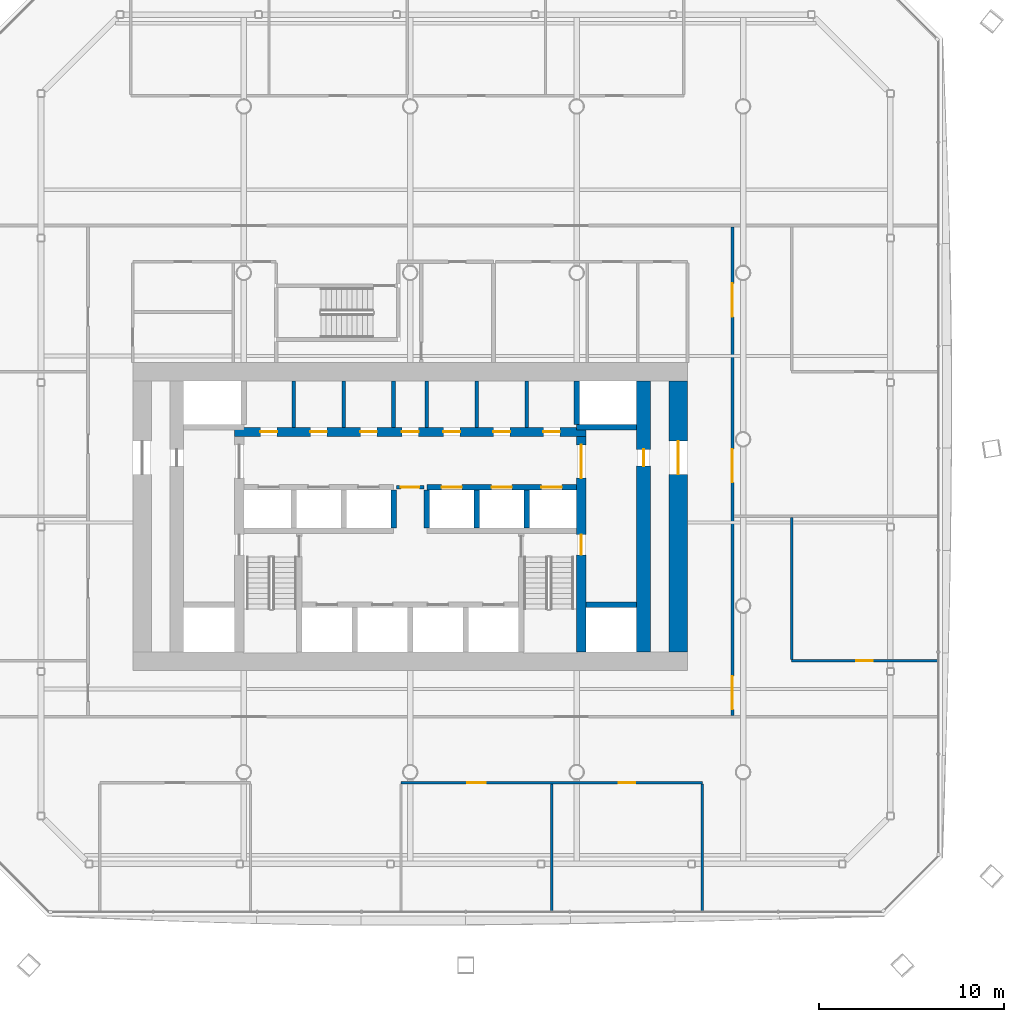
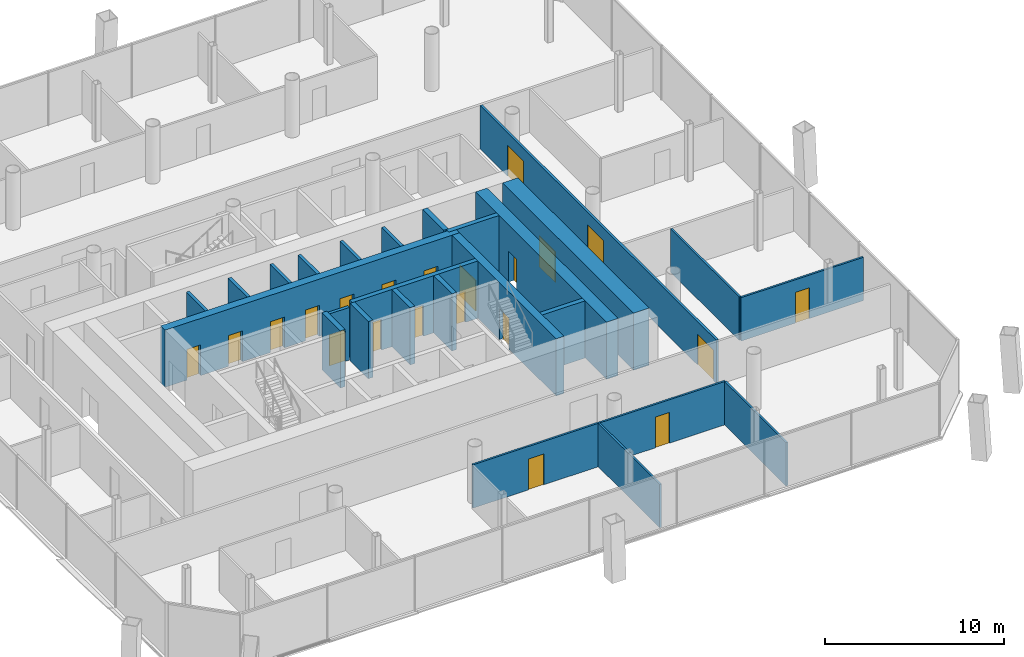
# One storey, part 13 of 20: 25 walls, 21 doors, 21 openings.
"""IFC4 building model written with IfcOpenShell, lengths in metres."""

import ifcopenshell
import ifcopenshell.guid

model = None  # the IFC model being written
_history = None  # IfcOwnerHistory: only IFC2X3 demands one
_inside = {}  # id of a spatial element -> (the spatial element, [elements in it])
_under = {}  # id of a project, library or spatial element -> (it, [spatial elements below it])
_declared = {}  # id of a project -> (the project, [libraries it declares])
_typed = {}  # id of a type object -> (the type object, [elements of that type])
_made_of = {}  # id of a material, layer set ... -> (it, [elements and type objects made of it])


def new_model(schema):
    """Start an empty IFC model of exactly this schema.

    Asked for "IFC4X3", IfcOpenShell would pick the latest addendum, in which some entities
    have other attributes; the version numbers below select the first issue.
    IFC2X3 requires an IfcOwnerHistory on every rooted entity: one is made here for all.
    """
    global model, _history
    if schema == "IFC4X3":
        model = ifcopenshell.file(schema_version=(4, 3, 0, 0))
    else:
        model = ifcopenshell.file(schema=schema)
    _inside.clear()
    _under.clear()
    _declared.clear()
    _typed.clear()
    _made_of.clear()
    _history = None
    if model.schema == "IFC2X3":
        org = make("IfcOrganization", Name="unknown")
        user = make(
            "IfcPersonAndOrganization",
            ThePerson=make("IfcPerson", FamilyName="unknown"),
            TheOrganization=org,
        )
        app = make(
            "IfcApplication",
            ApplicationDeveloper=org,
            Version="unknown",
            ApplicationFullName="unknown",
            ApplicationIdentifier="unknown",
        )
        _history = make(
            "IfcOwnerHistory",
            OwningUser=user,
            OwningApplication=app,
            ChangeAction="ADDED",
            CreationDate=0,
        )
    return model


def make(cls, **values):
    """One entity of the class cls with the attributes given. An attribute that is None is left unset."""
    return model.create_entity(
        cls, **{name: value for name, value in values.items() if value is not None}
    )


def rooted(cls, **values):
    """An entity with a GlobalId (a new one), such as an element, a storey or a relation."""
    return make(cls, GlobalId=ifcopenshell.guid.new(), OwnerHistory=_history, **values)


def si_unit(unit_type, name, prefix=None):
    """IfcSIUnit, for example si_unit("LENGTHUNIT", "METRE", prefix="MILLI")."""
    return make("IfcSIUnit", UnitType=unit_type, Prefix=prefix, Name=name)


def assignment(units):
    """IfcUnitAssignment: the units of a project."""
    return None if units is None else make("IfcUnitAssignment", Units=units)


def point(xyz):
    """IfcCartesianPoint."""
    return None if xyz is None else make("IfcCartesianPoint", Coordinates=xyz)


def direction(xyz):
    """IfcDirection."""
    return None if xyz is None else make("IfcDirection", DirectionRatios=xyz)


def frame(location, z_axis=None, x_axis=None):
    """IfcAxis2Placement3D, a coordinate frame: its origin and axes. An axis left out is left unset."""
    return make(
        "IfcAxis2Placement3D",
        Location=point(location),
        Axis=direction(z_axis),
        RefDirection=direction(x_axis),
    )


def frame_2d(location, x_axis=None):
    """IfcAxis2Placement2D, a coordinate frame in the plane: its origin and x axis."""
    return make(
        "IfcAxis2Placement2D", Location=point(location), RefDirection=direction(x_axis)
    )


def origin():
    """The frame at (0, 0, 0) with its axes left unset."""
    return frame((0.0, 0.0, 0.0))


def place(relative_to, where):
    """IfcLocalPlacement: puts the frame where relative to a parent placement (None: the world)."""
    return make(
        "IfcLocalPlacement", PlacementRelTo=relative_to, RelativePlacement=where
    )


def context(
    kind, dimensions, precision=None, world=None, true_north=None, identifier=None
):
    """IfcGeometricRepresentationContext, for example the 3D "Model" context."""
    return make(
        "IfcGeometricRepresentationContext",
        ContextIdentifier=identifier,
        ContextType=kind,
        CoordinateSpaceDimension=dimensions,
        Precision=precision,
        WorldCoordinateSystem=world,
        TrueNorth=true_north,
    )


def subcontext(parent, identifier, kind, view, scale=None):
    """IfcGeometricRepresentationSubContext, for example "Body" below "Model"."""
    return make(
        "IfcGeometricRepresentationSubContext",
        ContextIdentifier=identifier,
        ContextType=kind,
        ParentContext=parent,
        TargetScale=scale,
        TargetView=view,
    )


def project(units=None, contexts=None):
    """IfcProject with its units and contexts."""
    return rooted(
        "IfcProject",
        Name="project",
        RepresentationContexts=contexts,
        UnitsInContext=assignment(units),
    )


def spatial(cls, under=None, at=None, **own):
    """A site, building, storey or space (cls), placed at a placement, below another one or the project."""
    s = rooted(cls, ObjectPlacement=at, **own)
    if under is not None:
        _under.setdefault(under.id(), (under, []))[1].append(s)
    return s


def profile(cls, at=None, kind="AREA", **sizes):
    """A parametric profile (cls). Its sizes go by their IFC names, for example OverallWidth=200.0."""
    return make(cls, ProfileType=kind, Position=at, **sizes)


def rectangle(**sizes):
    """IfcRectangleProfileDef."""
    return profile("IfcRectangleProfileDef", **sizes)


def extrude(swept, where, along, depth):
    """IfcExtrudedAreaSolid: the profile swept, set in the frame where, extruded along a direction by depth."""
    return make(
        "IfcExtrudedAreaSolid",
        SweptArea=swept,
        Position=where,
        ExtrudedDirection=direction(along),
        Depth=depth,
    )


def shape(context_of_items, identifier, shape_type, items):
    """IfcShapeRepresentation: the items that make up one representation, for example the "Body"."""
    return make(
        "IfcShapeRepresentation",
        ContextOfItems=context_of_items,
        RepresentationIdentifier=identifier,
        RepresentationType=shape_type,
        Items=items,
    )


def material(Name=None, Category=None):
    """IfcMaterial."""
    return make("IfcMaterial", Name=Name, Category=Category)


def layer(
    of_material, thickness, ventilated=None, Name=None, Category=None, Priority=None
):
    """IfcMaterialLayer: one layer of a wall or slab, of a material (None: an air gap)."""
    return make(
        "IfcMaterialLayer",
        Material=of_material,
        LayerThickness=thickness,
        IsVentilated=ventilated,
        Name=Name,
        Category=Category,
        Priority=Priority,
    )


def layer_set(layers, Name=None):
    """IfcMaterialLayerSet."""
    return make("IfcMaterialLayerSet", MaterialLayers=layers, LayerSetName=Name)


def made_of(thing, what):
    """Note that an element or type object is made of a material, layer set ...; save() writes the relation."""
    if what is not None:
        _made_of.setdefault(what.id(), (what, []))[1].append(thing)
    return thing


def type_object(cls, material=None, **own):
    """A type object (cls), such as IfcWallType, which elements share."""
    return made_of(rooted(cls, **own), material)


def element(
    cls,
    number,
    at=None,
    inside=None,
    cuts=None,
    type_object=None,
    material=None,
    context=None,
    identifier="Body",
    shape_type=None,
    held_by="IfcProductDefinitionShape",
    body=None,
    shapes=None,
    **own,
):
    """One element of the class cls, such as IfcWall. Its Tag is "e" and its number.

    at: its placement. inside: the storey or other place that contains it. cuts: it is an
    opening in that element (IfcRelVoidsElement). A single representation is given by context,
    identifier, shape_type and body (its items); several are given by shapes. held_by: the class
    of the entity that holds the representations. save() writes the other relations.
    """
    e = rooted(cls, Tag="e%d" % number, ObjectPlacement=at, **own)
    if body is not None:
        shapes = [shape(context, identifier, shape_type, body)]
    if shapes is not None:
        e.Representation = make(held_by, Representations=shapes)
    if inside is not None:
        _inside.setdefault(inside.id(), (inside, []))[1].append(e)
    if cuts is not None:
        rooted(
            "IfcRelVoidsElement", RelatingBuildingElement=cuts, RelatedOpeningElement=e
        )
    if type_object is not None:
        _typed.setdefault(type_object.id(), (type_object, []))[1].append(e)
    return made_of(e, material)


def fill(opening, filler):
    """IfcRelFillsElement: the door or window that sits in an opening."""
    return rooted(
        "IfcRelFillsElement",
        RelatingOpeningElement=opening,
        RelatedBuildingElement=filler,
    )


def aggregate(whole, parts):
    """IfcRelAggregates: a whole, such as a stair, and the parts it consists of."""
    return rooted("IfcRelAggregates", RelatingObject=whole, RelatedObjects=parts)


def save(model, path):
    """Write the relations noted so far, then the file.

    IfcRelAggregates (storeys below a building ...), IfcRelContainedInSpatialStructure (elements
    in a storey), IfcRelDefinesByType, IfcRelAssociatesMaterial and IfcRelDeclares: one each for
    every whole, place, type object, material and project.
    """
    for whole, parts in _under.values():
        aggregate(whole, parts)
    for where, things in _inside.values():
        rooted(
            "IfcRelContainedInSpatialStructure",
            RelatedElements=things,
            RelatingStructure=where,
        )
    for kind, things in _typed.values():
        rooted("IfcRelDefinesByType", RelatedObjects=things, RelatingType=kind)
    for what, things in _made_of.values():
        rooted("IfcRelAssociatesMaterial", RelatedObjects=things, RelatingMaterial=what)
    for by, libraries in _declared.values():
        rooted("IfcRelDeclares", RelatingContext=by, RelatedDefinitions=libraries)
    model.write(path)


model = new_model("IFC4")

# Units and contexts
model_context = context("Model", 3, precision=1e-05, world=origin(), true_north=direction((0.0, 1.0)))
body_context = subcontext(model_context, "Body", "Model", "MODEL_VIEW")
ifc_project = project(units=[si_unit("LENGTHUNIT", "METRE"), si_unit("AREAUNIT", "SQUARE_METRE"), si_unit("VOLUMEUNIT", "CUBIC_METRE"), si_unit("PLANEANGLEUNIT", "RADIAN"), si_unit("MASSUNIT", "GRAM", prefix="KILO")], contexts=[model_context])

# Site, building, storey
site_placement = place(None, origin())
site = spatial("IfcSite", under=ifc_project, at=site_placement, CompositionType="ELEMENT")
building_placement = place(site_placement, origin())
building = spatial("IfcBuilding", under=site, at=building_placement, Name="Tskaro Facet Tower", CompositionType="ELEMENT")
storey_placement = place(building_placement, frame((0.0, 0.0, 66.0)))
storey = spatial("IfcBuildingStorey", under=building, at=storey_placement, Name="L15", CompositionType="ELEMENT", Elevation=66.0)

# Wall
ifc_material_1 = material(Name="Concrete C60/75", Category="concrete")
ifc_layer_1 = layer(ifc_material_1, 0.300048828125, Name="Concrete C60/75")
ifc_layer_set_1 = layer_set([ifc_layer_1], Name="Concrete C60/75")
wall_type_1 = type_object("IfcWallType", Name="CORE-SHAFT", PredefinedType="SHEAR", material=ifc_layer_set_1)
wall_1_placement = place(storey_placement, frame((9.5, -8.949951171875, 0.0), z_axis=(0.0, 0.0, 1.0), x_axis=(1.0, 0.0, 0.0)))
element("IfcWall", 1, at=wall_1_placement, inside=storey, type_object=wall_type_1, Name="Shaft wall W008", PredefinedType="SHEAR", context=body_context, shape_type="SweptSolid", body=[
    extrude(rectangle(XDim=2.75, YDim=0.300048828125, at=frame_2d((1.375, 0.0))), origin(), (0.0, 0.0, 1.0), 3.89990234375),
])

# Wall, openings, doors
wall_2_placement = place(storey_placement, frame((0.89990234375, -2.60009765625, 0.0), z_axis=(0.0, 0.0, 1.0), x_axis=(1.0, 0.0, 0.0)))
wall_2 = element("IfcWall", 2, at=wall_2_placement, inside=storey, type_object=wall_type_1, Name="Shaft wall W015", PredefinedType="SHEAR", context=body_context, shape_type="SweptSolid", body=[
    extrude(rectangle(XDim=8.10009765625, YDim=0.300048828125, at=frame_2d((4.050048828125, 0.0))), origin(), (0.0, 0.0, 1.0), 3.89990234375),
])
opening_1_placement = place(wall_2_placement, frame((0.800048828125, 0.0, 0.0)))
opening_1 = element("IfcOpeningElement", 3, at=opening_1_placement, cuts=wall_2, Name="Opening LD-LR4", PredefinedType="OPENING", context=body_context, shape_type="SweptSolid", body=[
    extrude(rectangle(XDim=1.10009765625, YDim=2.10009765625, at=frame_2d((0.550048828125, 1.050048828125))), frame((0.0, 0.159912109375, 0.0), z_axis=(0.0, -1.0, 0.0), x_axis=(1.0, 0.0, 0.0)), (0.0, 0.0, 1.0), 0.320068359375),
])
opening_2_placement = place(wall_2_placement, frame((3.5, 0.0, 0.0)))
opening_2 = element("IfcOpeningElement", 4, at=opening_2_placement, cuts=wall_2, Name="Opening LD-LR5", PredefinedType="OPENING", context=body_context, shape_type="SweptSolid", body=[
    extrude(rectangle(XDim=1.10009765625, YDim=2.10009765625, at=frame_2d((0.550048828125, 1.050048828125))), frame((0.0, 0.159912109375, 0.0), z_axis=(0.0, -1.0, 0.0), x_axis=(1.0, 0.0, 0.0)), (0.0, 0.0, 1.0), 0.320068359375),
])
opening_3_placement = place(wall_2_placement, frame((6.199951171875, 0.0, 0.0)))
opening_3 = element("IfcOpeningElement", 5, at=opening_3_placement, cuts=wall_2, Name="Opening LD-LR6", PredefinedType="OPENING", context=body_context, shape_type="SweptSolid", body=[
    extrude(rectangle(XDim=1.10009765625, YDim=2.10009765625, at=frame_2d((0.550048828125, 1.050048828125))), frame((0.0, 0.159912109375, 0.0), z_axis=(0.0, -1.0, 0.0), x_axis=(1.0, 0.0, 0.0)), (0.0, 0.0, 1.0), 0.320068359375),
])
ifc_material_2 = material(Name="Stainless steel", Category="steel")
door_type_1 = type_object("IfcDoorType", Name="D-LANDING", OperationType="NOTDEFINED", PredefinedType="DOOR", material=ifc_material_2)
door_1_placement = place(opening_1_placement, origin())
door_1 = element("IfcDoor", 6, at=door_1_placement, inside=storey, type_object=door_type_1, Name="Landing door LR4", OperationType="DOUBLE_DOOR_SLIDING", OverallHeight=2.10009765625, OverallWidth=1.10009765625, PredefinedType="DOOR", context=body_context, shape_type="SweptSolid", body=[
    extrude(rectangle(XDim=1.10009765625, YDim=2.10009765625, at=frame_2d((0.550048828125, 1.050048828125))), frame((0.0, 0.02490234375, 0.0), z_axis=(0.0, -1.0, 0.0), x_axis=(1.0, 0.0, 0.0)), (0.0, 0.0, 1.0), 0.050048828125),
])
fill(opening_1, door_1)
door_2_placement = place(opening_2_placement, origin())
door_2 = element("IfcDoor", 7, at=door_2_placement, inside=storey, type_object=door_type_1, Name="Landing door LR5", OperationType="DOUBLE_DOOR_SLIDING", OverallHeight=2.10009765625, OverallWidth=1.10009765625, PredefinedType="DOOR", context=body_context, shape_type="SweptSolid", body=[
    extrude(rectangle(XDim=1.10009765625, YDim=2.10009765625, at=frame_2d((0.550048828125, 1.050048828125))), frame((0.0, 0.02490234375, 0.0), z_axis=(0.0, -1.0, 0.0), x_axis=(1.0, 0.0, 0.0)), (0.0, 0.0, 1.0), 0.050048828125),
])
fill(opening_2, door_2)
door_3_placement = place(opening_3_placement, origin())
door_3 = element("IfcDoor", 8, at=door_3_placement, inside=storey, type_object=door_type_1, Name="Landing door LR6", OperationType="DOUBLE_DOOR_SLIDING", OverallHeight=2.10009765625, OverallWidth=1.10009765625, PredefinedType="DOOR", context=body_context, shape_type="SweptSolid", body=[
    extrude(rectangle(XDim=1.10009765625, YDim=2.10009765625, at=frame_2d((0.550048828125, 1.050048828125))), frame((0.0, 0.02490234375, 0.0), z_axis=(0.0, -1.0, 0.0), x_axis=(1.0, 0.0, 0.0)), (0.0, 0.0, 1.0), 0.050048828125),
])
fill(opening_3, door_3)

# Walls
wall_3_placement = place(storey_placement, frame((12.25, 0.64990234375, 0.0), z_axis=(0.0, 0.0, 1.0), x_axis=(-1.0, 0.0, 0.0)))
element("IfcWall", 9, at=wall_3_placement, inside=storey, type_object=wall_type_1, Name="Shaft wall W017", PredefinedType="SHEAR", context=body_context, shape_type="SweptSolid", body=[
    extrude(rectangle(XDim=3.25, YDim=0.300048828125, at=frame_2d((1.625, 0.0))), origin(), (0.0, 0.0, 1.0), 3.89990234375),
])
for number, where, z_axis, x_axis, name in (
    (10, (-0.89990234375, -4.800048828125, 0.0), (0.0, 0.0, 1.0), (0.0, 1.0, 0.0), "Shaft wall W045"),
    (11, (0.89990234375, -4.800048828125, 0.0), (0.0, 0.0, 1.0), (0.0, 1.0, 0.0), "Shaft wall W053"),
    (12, (3.60009765625, -4.800048828125, 0.0), (0.0, 0.0, 1.0), (0.0, 1.0, 0.0), "Shaft wall W056"),
    (13, (6.300048828125, -4.800048828125, 0.0), (0.0, 0.0, 1.0), (0.0, 1.0, 0.0), "Shaft wall W060"),
):
    element("IfcWall", number, at=place(storey_placement, frame(where, z_axis=z_axis, x_axis=x_axis)), inside=storey, type_object=wall_type_1, Name=name, PredefinedType="SHEAR", context=body_context, shape_type="SweptSolid", body=[
        extrude(rectangle(XDim=2.050048828125, YDim=0.300048828125, at=frame_2d((1.02490234375, 0.0))), origin(), (0.0, 0.0, 1.0), 3.89990234375),
    ])
wall_4_placement = place(storey_placement, frame((9.0, 0.800048828125, 0.0), z_axis=(0.0, 0.0, 1.0), x_axis=(0.0, 1.0, 0.0)))
element("IfcWall", 14, at=wall_4_placement, inside=storey, type_object=wall_type_1, Name="Shaft wall W064", PredefinedType="SHEAR", context=body_context, shape_type="SweptSolid", body=[
    extrude(rectangle(XDim=2.349853515625, YDim=0.300048828125, at=frame_2d((1.1748046875, 0.0))), origin(), (0.0, 0.0, 1.0), 3.89990234375),
])

# Wall, opening, door
ifc_material_3 = material(Name="Concrete C20/25", Category="concrete")
ifc_layer_2 = layer(ifc_material_3, 0.199951171875, Name="Concrete C20/25")
ifc_layer_set_2 = layer_set([ifc_layer_2], Name="Concrete C20/25")
wall_type_2 = type_object("IfcWallType", Name="CORE-WALL", PredefinedType="SOLIDWALL", material=ifc_layer_set_2)
wall_5_placement = place(storey_placement, frame((0.75, -2.60009765625, 0.0), z_axis=(0.0, 0.0, 1.0), x_axis=(-1.0, 0.0, 0.0)))
wall_5 = element("IfcWall", 15, at=wall_5_placement, inside=storey, type_object=wall_type_2, Name="Core room wall W014", PredefinedType="SOLIDWALL", context=body_context, shape_type="SweptSolid", body=[
    extrude(rectangle(XDim=1.5, YDim=0.199951171875, at=frame_2d((0.75, 0.0))), origin(), (0.0, 0.0, 1.0), 3.60009765625),
])
opening_4_placement = place(wall_5_placement, frame((0.25, 0.0, 0.0)))
opening_4 = element("IfcOpeningElement", 16, at=opening_4_placement, cuts=wall_5, Name="Opening FL-D1", PredefinedType="OPENING", context=body_context, shape_type="SweptSolid", body=[
    extrude(rectangle(XDim=1.0, YDim=2.10009765625, at=frame_2d((0.5, 1.050048828125))), frame((0.0, 0.10986328125, 0.0), z_axis=(0.0, -1.0, 0.0), x_axis=(1.0, 0.0, 0.0)), (0.0, 0.0, 1.0), 0.219970703125),
])
ifc_material_4 = material(Name="Steel", Category="steel")
door_type_2 = type_object("IfcDoorType", Name="D-LOBBY", OperationType="NOTDEFINED", PredefinedType="DOOR", material=ifc_material_4)
door_4_placement = place(opening_4_placement, origin())
door_4 = element("IfcDoor", 17, at=door_4_placement, inside=storey, type_object=door_type_2, Name="Lobby door FL", OperationType="SINGLE_SWING_RIGHT", OverallHeight=2.10009765625, OverallWidth=1.0, PredefinedType="DOOR", context=body_context, shape_type="SweptSolid", body=[
    extrude(rectangle(XDim=1.0, YDim=2.10009765625, at=frame_2d((0.5, 1.050048828125))), frame((0.0, 0.02490234375, 0.0), z_axis=(0.0, -1.0, 0.0), x_axis=(1.0, 0.0, 0.0)), (0.0, 0.0, 1.0), 0.050048828125),
])
fill(opening_4, door_4)

# Walls
for number, where, z_axis, x_axis, name in (
    (18, (-6.300048828125, 0.64990234375, 0.0), (0.0, 0.0, 1.0), (0.0, 1.0, 0.0), "Core room wall W040"),
    (19, (-3.60009765625, 0.64990234375, 0.0), (0.0, 0.0, 1.0), (0.0, 1.0, 0.0), "Core room wall W043"),
    (20, (-0.89990234375, 0.64990234375, 0.0), (0.0, 0.0, 1.0), (0.0, 1.0, 0.0), "Core room wall W046"),
    (21, (0.89990234375, 0.64990234375, 0.0), (0.0, 0.0, 1.0), (0.0, 1.0, 0.0), "Core room wall W054"),
    (22, (3.60009765625, 0.64990234375, 0.0), (0.0, 0.0, 1.0), (0.0, 1.0, 0.0), "Core room wall W057"),
    (23, (6.300048828125, 0.64990234375, 0.0), (0.0, 0.0, 1.0), (0.0, 1.0, 0.0), "Core room wall W061"),
):
    element("IfcWall", number, at=place(storey_placement, frame(where, z_axis=z_axis, x_axis=x_axis)), inside=storey, type_object=wall_type_2, Name=name, PredefinedType="SOLIDWALL", context=body_context, shape_type="SweptSolid", body=[
        extrude(rectangle(XDim=2.5, YDim=0.199951171875, at=frame_2d((1.25, 0.0))), origin(), (0.0, 0.0, 1.0), 3.60009765625),
    ])

# Wall, opening, door
ifc_layer_3 = layer(ifc_material_1, 1.0, Name="Concrete C60/75")
ifc_layer_set_3 = layer_set([ifc_layer_3], Name="Concrete C60/75")
wall_type_3 = type_object("IfcWallType", Name="Core wall 1000", PredefinedType="SHEAR", material=ifc_layer_set_3)
wall_6_placement = place(storey_placement, frame((14.5, -11.5, 0.0), z_axis=(0.0, 0.0, 1.0), x_axis=(0.0, 1.0, 0.0)))
wall_6 = element("IfcWall", 24, at=wall_6_placement, inside=storey, type_object=wall_type_3, Name="Core wall CW-Z1E", PredefinedType="SHEAR", context=body_context, shape_type="SweptSolid", body=[
    extrude(rectangle(XDim=14.64990234375, YDim=1.0, at=frame_2d((7.324951171875, 0.0))), origin(), (0.0, 0.0, 1.0), 3.89990234375),
])
opening_5_placement = place(wall_6_placement, frame((9.60009765625, 0.0, 0.0)))
opening_5 = element("IfcOpeningElement", 25, at=opening_5_placement, cuts=wall_6, Name="Opening T4-D18", PredefinedType="OPENING", context=body_context, shape_type="SweptSolid", body=[
    extrude(rectangle(XDim=1.800048828125, YDim=2.10009765625, at=frame_2d((0.89990234375, 1.050048828125))), frame((0.0, 0.510009765625, 0.0), z_axis=(0.0, -1.0, 0.0), x_axis=(1.0, 0.0, 0.0)), (0.0, 0.0, 1.0), 1.02001953125),
])
door_type_3 = type_object("IfcDoorType", Name="D-CORE-PAIR", OperationType="NOTDEFINED", PredefinedType="DOOR", material=ifc_material_4)
door_5_placement = place(opening_5_placement, origin())
door_5 = element("IfcDoor", 26, at=door_5_placement, inside=storey, type_object=door_type_3, Name="Door T4-D18", OperationType="DOUBLE_DOOR_SINGLE_SWING", OverallHeight=2.10009765625, OverallWidth=1.800048828125, PredefinedType="DOOR", context=body_context, shape_type="SweptSolid", body=[
    extrude(rectangle(XDim=1.800048828125, YDim=2.10009765625, at=frame_2d((0.89990234375, 1.050048828125))), frame((0.0, 0.02490234375, 0.0), z_axis=(0.0, -1.0, 0.0), x_axis=(1.0, 0.0, 0.0)), (0.0, 0.0, 1.0), 0.050048828125),
])
fill(opening_5, door_5)

# Wall, openings, doors
ifc_material_5 = material(Name="Concrete C40/50", Category="concrete")
ifc_layer_4 = layer(ifc_material_5, 0.5, Name="Concrete C40/50")
ifc_layer_set_4 = layer_set([ifc_layer_4], Name="Concrete C40/50")
wall_type_4 = type_object("IfcWallType", Name="Core wall 500", PredefinedType="SHEAR", material=ifc_layer_set_4)
wall_7_placement = place(storey_placement, frame((-9.5, 0.39990234375, 0.0), z_axis=(0.0, 0.0, 1.0), x_axis=(1.0, 0.0, 0.0)))
wall_7 = element("IfcWall", 27, at=wall_7_placement, inside=storey, type_object=wall_type_4, Name="Core wall CW-Z3N", PredefinedType="SHEAR", context=body_context, shape_type="SweptSolid", body=[
    extrude(rectangle(XDim=19.0, YDim=0.5, at=frame_2d((9.5, 0.0))), origin(), (0.0, 0.0, 1.0), 3.89990234375),
])
opening_6_placement = place(wall_7_placement, frame((1.39990234375, 0.0, 0.0)))
opening_6 = element("IfcOpeningElement", 28, at=opening_6_placement, cuts=wall_7, Name="Opening T4-D20", PredefinedType="OPENING", context=body_context, shape_type="SweptSolid", body=[
    extrude(rectangle(XDim=0.89990234375, YDim=2.10009765625, at=frame_2d((0.449951171875, 1.050048828125))), frame((0.0, 0.260009765625, 0.0), z_axis=(0.0, -1.0, 0.0), x_axis=(1.0, 0.0, 0.0)), (0.0, 0.0, 1.0), 0.52001953125),
])
opening_7_placement = place(wall_7_placement, frame((4.10009765625, 0.0, 0.0)))
opening_7 = element("IfcOpeningElement", 29, at=opening_7_placement, cuts=wall_7, Name="Opening T4-D21", PredefinedType="OPENING", context=body_context, shape_type="SweptSolid", body=[
    extrude(rectangle(XDim=0.89990234375, YDim=2.10009765625, at=frame_2d((0.449951171875, 1.050048828125))), frame((0.0, 0.260009765625, 0.0), z_axis=(0.0, -1.0, 0.0), x_axis=(1.0, 0.0, 0.0)), (0.0, 0.0, 1.0), 0.52001953125),
])
opening_8_placement = place(wall_7_placement, frame((6.800048828125, 0.0, 0.0)))
opening_8 = element("IfcOpeningElement", 30, at=opening_8_placement, cuts=wall_7, Name="Opening T4-D22", PredefinedType="OPENING", context=body_context, shape_type="SweptSolid", body=[
    extrude(rectangle(XDim=0.89990234375, YDim=2.10009765625, at=frame_2d((0.449951171875, 1.050048828125))), frame((0.0, 0.260009765625, 0.0), z_axis=(0.0, -1.0, 0.0), x_axis=(1.0, 0.0, 0.0)), (0.0, 0.0, 1.0), 0.52001953125),
])
opening_9_placement = place(wall_7_placement, frame((11.300048828125, 0.0, 0.0)))
opening_9 = element("IfcOpeningElement", 31, at=opening_9_placement, cuts=wall_7, Name="Opening T4-D24", PredefinedType="OPENING", context=body_context, shape_type="SweptSolid", body=[
    extrude(rectangle(XDim=0.89990234375, YDim=2.10009765625, at=frame_2d((0.449951171875, 1.050048828125))), frame((0.0, 0.260009765625, 0.0), z_axis=(0.0, -1.0, 0.0), x_axis=(1.0, 0.0, 0.0)), (0.0, 0.0, 1.0), 0.52001953125),
])
opening_10_placement = place(wall_7_placement, frame((14.0, 0.0, 0.0)))
opening_10 = element("IfcOpeningElement", 32, at=opening_10_placement, cuts=wall_7, Name="Opening T4-D25", PredefinedType="OPENING", context=body_context, shape_type="SweptSolid", body=[
    extrude(rectangle(XDim=0.89990234375, YDim=2.10009765625, at=frame_2d((0.449951171875, 1.050048828125))), frame((0.0, 0.260009765625, 0.0), z_axis=(0.0, -1.0, 0.0), x_axis=(1.0, 0.0, 0.0)), (0.0, 0.0, 1.0), 0.52001953125),
])
opening_11_placement = place(wall_7_placement, frame((16.699951171875, 0.0, 0.0)))
opening_11 = element("IfcOpeningElement", 33, at=opening_11_placement, cuts=wall_7, Name="Opening T4-D26", PredefinedType="OPENING", context=body_context, shape_type="SweptSolid", body=[
    extrude(rectangle(XDim=0.89990234375, YDim=2.10009765625, at=frame_2d((0.449951171875, 1.050048828125))), frame((0.0, 0.260009765625, 0.0), z_axis=(0.0, -1.0, 0.0), x_axis=(1.0, 0.0, 0.0)), (0.0, 0.0, 1.0), 0.52001953125),
])
opening_12_placement = place(wall_7_placement, frame((9.050048828125, 0.0, 0.0)))
opening_12 = element("IfcOpeningElement", 34, at=opening_12_placement, cuts=wall_7, Name="Opening T4-D23", PredefinedType="OPENING", context=body_context, shape_type="SweptSolid", body=[
    extrude(rectangle(XDim=0.89990234375, YDim=2.10009765625, at=frame_2d((0.449951171875, 1.050048828125))), frame((0.0, 0.260009765625, 0.0), z_axis=(0.0, -1.0, 0.0), x_axis=(1.0, 0.0, 0.0)), (0.0, 0.0, 1.0), 0.52001953125),
])
door_type_4 = type_object("IfcDoorType", Name="D-RISER", OperationType="NOTDEFINED", PredefinedType="DOOR", material=ifc_material_4)
door_6_placement = place(opening_12_placement, origin())
door_6 = element("IfcDoor", 35, at=door_6_placement, inside=storey, type_object=door_type_4, Name="Door T4-D23", OperationType="SINGLE_SWING_LEFT", OverallHeight=2.10009765625, OverallWidth=0.89990234375, PredefinedType="DOOR", context=body_context, shape_type="SweptSolid", body=[
    extrude(rectangle(XDim=0.89990234375, YDim=2.10009765625, at=frame_2d((0.449951171875, 1.050048828125))), frame((0.0, 0.02490234375, 0.0), z_axis=(0.0, -1.0, 0.0), x_axis=(1.0, 0.0, 0.0)), (0.0, 0.0, 1.0), 0.050048828125),
])
fill(opening_12, door_6)
ifc_material_6 = material(Name="Timber", Category="wood")
door_type_5 = type_object("IfcDoorType", Name="D-ROOM", OperationType="NOTDEFINED", PredefinedType="DOOR", material=ifc_material_6)
door_7_placement = place(opening_6_placement, origin())
door_7 = element("IfcDoor", 36, at=door_7_placement, inside=storey, type_object=door_type_5, Name="Door T4-D20", OperationType="SINGLE_SWING_LEFT", OverallHeight=2.10009765625, OverallWidth=0.89990234375, PredefinedType="DOOR", context=body_context, shape_type="SweptSolid", body=[
    extrude(rectangle(XDim=0.89990234375, YDim=2.10009765625, at=frame_2d((0.449951171875, 1.050048828125))), frame((0.0, 0.02490234375, 0.0), z_axis=(0.0, -1.0, 0.0), x_axis=(1.0, 0.0, 0.0)), (0.0, 0.0, 1.0), 0.050048828125),
])
fill(opening_6, door_7)
door_8_placement = place(opening_7_placement, origin())
door_8 = element("IfcDoor", 37, at=door_8_placement, inside=storey, type_object=door_type_5, Name="Door T4-D21", OperationType="SINGLE_SWING_LEFT", OverallHeight=2.10009765625, OverallWidth=0.89990234375, PredefinedType="DOOR", context=body_context, shape_type="SweptSolid", body=[
    extrude(rectangle(XDim=0.89990234375, YDim=2.10009765625, at=frame_2d((0.449951171875, 1.050048828125))), frame((0.0, 0.02490234375, 0.0), z_axis=(0.0, -1.0, 0.0), x_axis=(1.0, 0.0, 0.0)), (0.0, 0.0, 1.0), 0.050048828125),
])
fill(opening_7, door_8)
door_9_placement = place(opening_8_placement, origin())
door_9 = element("IfcDoor", 38, at=door_9_placement, inside=storey, type_object=door_type_5, Name="Door T4-D22", OperationType="SINGLE_SWING_LEFT", OverallHeight=2.10009765625, OverallWidth=0.89990234375, PredefinedType="DOOR", context=body_context, shape_type="SweptSolid", body=[
    extrude(rectangle(XDim=0.89990234375, YDim=2.10009765625, at=frame_2d((0.449951171875, 1.050048828125))), frame((0.0, 0.02490234375, 0.0), z_axis=(0.0, -1.0, 0.0), x_axis=(1.0, 0.0, 0.0)), (0.0, 0.0, 1.0), 0.050048828125),
])
fill(opening_8, door_9)
door_10_placement = place(opening_9_placement, origin())
door_10 = element("IfcDoor", 39, at=door_10_placement, inside=storey, type_object=door_type_5, Name="Door T4-D24", OperationType="SINGLE_SWING_LEFT", OverallHeight=2.10009765625, OverallWidth=0.89990234375, PredefinedType="DOOR", context=body_context, shape_type="SweptSolid", body=[
    extrude(rectangle(XDim=0.89990234375, YDim=2.10009765625, at=frame_2d((0.449951171875, 1.050048828125))), frame((0.0, 0.02490234375, 0.0), z_axis=(0.0, -1.0, 0.0), x_axis=(1.0, 0.0, 0.0)), (0.0, 0.0, 1.0), 0.050048828125),
])
fill(opening_9, door_10)
door_11_placement = place(opening_10_placement, origin())
door_11 = element("IfcDoor", 40, at=door_11_placement, inside=storey, type_object=door_type_5, Name="Door T4-D25", OperationType="SINGLE_SWING_LEFT", OverallHeight=2.10009765625, OverallWidth=0.89990234375, PredefinedType="DOOR", context=body_context, shape_type="SweptSolid", body=[
    extrude(rectangle(XDim=0.89990234375, YDim=2.10009765625, at=frame_2d((0.449951171875, 1.050048828125))), frame((0.0, 0.02490234375, 0.0), z_axis=(0.0, -1.0, 0.0), x_axis=(1.0, 0.0, 0.0)), (0.0, 0.0, 1.0), 0.050048828125),
])
fill(opening_10, door_11)
door_12_placement = place(opening_11_placement, origin())
door_12 = element("IfcDoor", 41, at=door_12_placement, inside=storey, type_object=door_type_5, Name="Door T4-D26", OperationType="SINGLE_SWING_LEFT", OverallHeight=2.10009765625, OverallWidth=0.89990234375, PredefinedType="DOOR", context=body_context, shape_type="SweptSolid", body=[
    extrude(rectangle(XDim=0.89990234375, YDim=2.10009765625, at=frame_2d((0.449951171875, 1.050048828125))), frame((0.0, 0.02490234375, 0.0), z_axis=(0.0, -1.0, 0.0), x_axis=(1.0, 0.0, 0.0)), (0.0, 0.0, 1.0), 0.050048828125),
])
fill(opening_11, door_12)

wall_8_placement = place(storey_placement, frame((9.25, -11.5, 0.0), z_axis=(0.0, 0.0, 1.0), x_axis=(0.0, 1.0, 0.0)))
wall_8 = element("IfcWall", 42, at=wall_8_placement, inside=storey, type_object=wall_type_4, Name="Core wall CW-Z3E", PredefinedType="SHEAR", context=body_context, shape_type="SweptSolid", body=[
    extrude(rectangle(XDim=11.64990234375, YDim=0.5, at=frame_2d((5.824951171875, 0.0))), origin(), (0.0, 0.0, 1.0), 3.89990234375),
])
opening_13_placement = place(wall_8_placement, frame((9.39990234375, 0.0, 0.0)))
opening_13 = element("IfcOpeningElement", 43, at=opening_13_placement, cuts=wall_8, Name="Opening T4-D14", PredefinedType="OPENING", context=body_context, shape_type="SweptSolid", body=[
    extrude(rectangle(XDim=1.800048828125, YDim=2.10009765625, at=frame_2d((0.89990234375, 1.050048828125))), frame((0.0, 0.260009765625, 0.0), z_axis=(0.0, -1.0, 0.0), x_axis=(1.0, 0.0, 0.0)), (0.0, 0.0, 1.0), 0.52001953125),
])
opening_14_placement = place(wall_8_placement, frame((5.25, 0.0, 0.0)))
opening_14 = element("IfcOpeningElement", 44, at=opening_14_placement, cuts=wall_8, Name="Opening ST-2-D2", PredefinedType="OPENING", context=body_context, shape_type="SweptSolid", body=[
    extrude(rectangle(XDim=1.10009765625, YDim=2.10009765625, at=frame_2d((0.550048828125, 1.050048828125))), frame((0.0, 0.260009765625, 0.0), z_axis=(0.0, -1.0, 0.0), x_axis=(1.0, 0.0, 0.0)), (0.0, 0.0, 1.0), 0.52001953125),
])
door_13_placement = place(opening_13_placement, origin())
door_13 = element("IfcDoor", 45, at=door_13_placement, inside=storey, type_object=door_type_3, Name="Door T4-D14", OperationType="DOUBLE_DOOR_SINGLE_SWING", OverallHeight=2.10009765625, OverallWidth=1.800048828125, PredefinedType="DOOR", context=body_context, shape_type="SweptSolid", body=[
    extrude(rectangle(XDim=1.800048828125, YDim=2.10009765625, at=frame_2d((0.89990234375, 1.050048828125))), frame((0.0, 0.02490234375, 0.0), z_axis=(0.0, -1.0, 0.0), x_axis=(1.0, 0.0, 0.0)), (0.0, 0.0, 1.0), 0.050048828125),
])
fill(opening_13, door_13)
door_type_6 = type_object("IfcDoorType", Name="D-STAIR", OperationType="NOTDEFINED", PredefinedType="DOOR", material=ifc_material_4)
door_14_placement = place(opening_14_placement, origin())
door_14 = element("IfcDoor", 46, at=door_14_placement, inside=storey, type_object=door_type_6, Name="Stair door 2 east", OperationType="SINGLE_SWING_LEFT", OverallHeight=2.10009765625, OverallWidth=1.10009765625, PredefinedType="DOOR", context=body_context, shape_type="SweptSolid", body=[
    extrude(rectangle(XDim=1.10009765625, YDim=2.10009765625, at=frame_2d((0.550048828125, 1.050048828125))), frame((0.0, 0.02490234375, 0.0), z_axis=(0.0, -1.0, 0.0), x_axis=(1.0, 0.0, 0.0)), (0.0, 0.0, 1.0), 0.050048828125),
])
fill(opening_14, door_14)

# Wall, opening, door
ifc_material_7 = material(Name="Concrete C50/60", Category="concrete")
ifc_layer_5 = layer(ifc_material_7, 0.75, Name="Concrete C50/60")
ifc_layer_set_5 = layer_set([ifc_layer_5], Name="Concrete C50/60")
wall_type_5 = type_object("IfcWallType", Name="Core wall 750", PredefinedType="SHEAR", material=ifc_layer_set_5)
wall_9_placement = place(storey_placement, frame((12.625, -11.5, 0.0), z_axis=(0.0, 0.0, 1.0), x_axis=(0.0, 1.0, 0.0)))
wall_9 = element("IfcWall", 47, at=wall_9_placement, inside=storey, type_object=wall_type_5, Name="Core wall CW-Z2E", PredefinedType="SHEAR", context=body_context, shape_type="SweptSolid", body=[
    extrude(rectangle(XDim=14.64990234375, YDim=0.75, at=frame_2d((7.324951171875, 0.0))), origin(), (0.0, 0.0, 1.0), 3.89990234375),
])
opening_15_placement = place(wall_9_placement, frame((10.050048828125, 0.0, 0.0)))
opening_15 = element("IfcOpeningElement", 48, at=opening_15_placement, cuts=wall_9, Name="Opening T4-D17", PredefinedType="OPENING", context=body_context, shape_type="SweptSolid", body=[
    extrude(rectangle(XDim=0.89990234375, YDim=2.10009765625, at=frame_2d((0.449951171875, 1.050048828125))), frame((0.0, 0.385009765625, 0.0), z_axis=(0.0, -1.0, 0.0), x_axis=(1.0, 0.0, 0.0)), (0.0, 0.0, 1.0), 0.77001953125),
])
door_15_placement = place(opening_15_placement, origin())
door_15 = element("IfcDoor", 49, at=door_15_placement, inside=storey, type_object=door_type_5, Name="Door T4-D17", OperationType="SINGLE_SWING_LEFT", OverallHeight=2.10009765625, OverallWidth=0.89990234375, PredefinedType="DOOR", context=body_context, shape_type="SweptSolid", body=[
    extrude(rectangle(XDim=0.89990234375, YDim=2.10009765625, at=frame_2d((0.449951171875, 1.050048828125))), frame((0.0, 0.02490234375, 0.0), z_axis=(0.0, -1.0, 0.0), x_axis=(1.0, 0.0, 0.0)), (0.0, 0.0, 1.0), 0.050048828125),
])
fill(opening_15, door_15)

# Wall, openings, doors
ifc_material_8 = material(Name="Gypsum board on steel studs", Category="steel")
ifc_layer_6 = layer(ifc_material_8, 0.125, Name="Gypsum board on steel studs")
ifc_layer_set_6 = layer_set([ifc_layer_6], Name="Gypsum board on steel studs")
wall_type_6 = type_object("IfcWallType", Name="PART", PredefinedType="PARTITIONING", material=ifc_layer_set_6)
wall_10_placement = place(storey_placement, frame((15.798095703125, -18.580078125, 0.0), z_axis=(0.0, 0.0, 1.0), x_axis=(-1.0, 0.0, 0.0)))
wall_10 = element("IfcWall", 50, at=wall_10_placement, inside=storey, type_object=wall_type_6, Name="Partition W002", PredefinedType="PARTITIONING", context=body_context, shape_type="SweptSolid", body=[
    extrude(rectangle(XDim=16.291015625, YDim=0.125, at=frame_2d((8.1455078125, 0.0))), origin(), (0.0, 0.0, 1.0), 2.9599609375),
])
opening_16_placement = place(wall_10_placement, frame((11.718017578125, 0.0, 0.0)))
opening_16 = element("IfcOpeningElement", 51, at=opening_16_placement, cuts=wall_10, Name="Opening T4-D02", PredefinedType="OPENING", context=body_context, shape_type="SweptSolid", body=[
    extrude(rectangle(XDim=1.0, YDim=2.10009765625, at=frame_2d((0.5, 1.050048828125))), frame((0.0, 0.072509765625, 0.0), z_axis=(0.0, -1.0, 0.0), x_axis=(1.0, 0.0, 0.0)), (0.0, 0.0, 1.0), 0.14501953125),
])
opening_17_placement = place(wall_10_placement, frame((3.62255859375, 0.0, 0.0)))
opening_17 = element("IfcOpeningElement", 52, at=opening_17_placement, cuts=wall_10, Name="Opening T4-D03", PredefinedType="OPENING", context=body_context, shape_type="SweptSolid", body=[
    extrude(rectangle(XDim=0.89990234375, YDim=2.10009765625, at=frame_2d((0.449951171875, 1.050048828125))), frame((0.0, 0.072509765625, 0.0), z_axis=(0.0, -1.0, 0.0), x_axis=(1.0, 0.0, 0.0)), (0.0, 0.0, 1.0), 0.14501953125),
])
door_16_placement = place(opening_17_placement, origin())
door_16 = element("IfcDoor", 53, at=door_16_placement, inside=storey, type_object=door_type_5, Name="Door T4-D03", OperationType="SINGLE_SWING_RIGHT", OverallHeight=2.10009765625, OverallWidth=0.89990234375, PredefinedType="DOOR", context=body_context, shape_type="SweptSolid", body=[
    extrude(rectangle(XDim=0.89990234375, YDim=2.10009765625, at=frame_2d((0.449951171875, 1.050048828125))), frame((0.0, 0.02490234375, 0.0), z_axis=(0.0, -1.0, 0.0), x_axis=(1.0, 0.0, 0.0)), (0.0, 0.0, 1.0), 0.050048828125),
])
fill(opening_17, door_16)
door_type_7 = type_object("IfcDoorType", Name="D-ROOM-WIDE", OperationType="NOTDEFINED", PredefinedType="DOOR", material=ifc_material_6)
door_17_placement = place(opening_16_placement, origin())
door_17 = element("IfcDoor", 54, at=door_17_placement, inside=storey, type_object=door_type_7, Name="Door T4-D02", OperationType="SINGLE_SWING_RIGHT", OverallHeight=2.10009765625, OverallWidth=1.0, PredefinedType="DOOR", context=body_context, shape_type="SweptSolid", body=[
    extrude(rectangle(XDim=1.0, YDim=2.10009765625, at=frame_2d((0.5, 1.050048828125))), frame((0.0, 0.02490234375, 0.0), z_axis=(0.0, -1.0, 0.0), x_axis=(1.0, 0.0, 0.0)), (0.0, 0.0, 1.0), 0.050048828125),
])
fill(opening_16, door_17)

# Wall, opening, door
wall_11_placement = place(storey_placement, frame((20.625, -11.972900390625, 0.0), z_axis=(0.0, 0.0, 1.0), x_axis=(1.0, 0.0, 0.0)))
wall_11 = element("IfcWall", 55, at=wall_11_placement, inside=storey, type_object=wall_type_6, Name="Partition W005", PredefinedType="PARTITIONING", context=body_context, shape_type="SweptSolid", body=[
    extrude(rectangle(XDim=7.884033203125, YDim=0.125, at=frame_2d((3.94189453125, 0.0))), origin(), (0.0, 0.0, 1.0), 2.9599609375),
])
opening_18_placement = place(wall_11_placement, frame((3.491943359375, 0.0, 0.0)))
opening_18 = element("IfcOpeningElement", 56, at=opening_18_placement, cuts=wall_11, Name="Opening T4-D08", PredefinedType="OPENING", context=body_context, shape_type="SweptSolid", body=[
    extrude(rectangle(XDim=0.89990234375, YDim=2.10009765625, at=frame_2d((0.449951171875, 1.050048828125))), frame((0.0, 0.072509765625, 0.0), z_axis=(0.0, -1.0, 0.0), x_axis=(1.0, 0.0, 0.0)), (0.0, 0.0, 1.0), 0.14501953125),
])
door_18_placement = place(opening_18_placement, origin())
door_18 = element("IfcDoor", 57, at=door_18_placement, inside=storey, type_object=door_type_5, Name="Door T4-D08", OperationType="SINGLE_SWING_LEFT", OverallHeight=2.10009765625, OverallWidth=0.89990234375, PredefinedType="DOOR", context=body_context, shape_type="SweptSolid", body=[
    extrude(rectangle(XDim=0.89990234375, YDim=2.10009765625, at=frame_2d((0.449951171875, 1.050048828125))), frame((0.0, 0.02490234375, 0.0), z_axis=(0.0, -1.0, 0.0), x_axis=(1.0, 0.0, 0.0)), (0.0, 0.0, 1.0), 0.050048828125),
])
fill(opening_18, door_18)

# Walls
for number, where, z_axis, x_axis, name in (
    (58, (7.653076171875, -25.509033203125, 0.0), (0.0, 0.0, 1.0), (0.0, 1.0, 0.0), "Partition W063"),
    (59, (15.798095703125, -25.509033203125, 0.0), (0.0, 0.0, 1.0), (0.0, 1.0, 0.0), "Partition W069"),
):
    element("IfcWall", number, at=place(storey_placement, frame(where, z_axis=z_axis, x_axis=x_axis)), inside=storey, type_object=wall_type_6, Name=name, PredefinedType="PARTITIONING", context=body_context, shape_type="SweptSolid", body=[
        extrude(rectangle(XDim=6.866455078125, YDim=0.125, at=frame_2d((3.43310546875, 0.0))), origin(), (0.0, 0.0, 1.0), 2.9599609375),
    ])
wall_12_placement = place(storey_placement, frame((20.625, -11.910400390625, 0.0), z_axis=(0.0, 0.0, 1.0), x_axis=(0.0, 1.0, 0.0)))
element("IfcWall", 60, at=wall_12_placement, inside=storey, type_object=wall_type_6, Name="Partition W071", PredefinedType="PARTITIONING", context=body_context, shape_type="SweptSolid", body=[
    extrude(rectangle(XDim=7.67333984375, YDim=0.125, at=frame_2d((3.836669921875, 0.0))), origin(), (0.0, 0.0, 1.0), 2.9599609375),
])

# Wall, openings, doors
ifc_layer_7 = layer(ifc_material_8, 0.14990234375, Name="Gypsum board on steel studs")
ifc_layer_set_7 = layer_set([ifc_layer_7], Name="Gypsum board on steel studs")
wall_type_7 = type_object("IfcWallType", Name="PART-CORR", PredefinedType="PARTITIONING", material=ifc_layer_set_7)
wall_13_placement = place(storey_placement, frame((17.425048828125, -14.925048828125, 0.0), z_axis=(0.0, 0.0, 1.0), x_axis=(0.0, 1.0, 0.0)))
wall_13 = element("IfcWall", 61, at=wall_13_placement, inside=storey, type_object=wall_type_7, Name="Corridor wall W070", PredefinedType="PARTITIONING", context=body_context, shape_type="SweptSolid", body=[
    extrude(rectangle(XDim=26.405029296875, YDim=0.14990234375, at=frame_2d((13.20263671875, 0.0))), origin(), (0.0, 0.0, 1.0), 2.9599609375),
])
opening_19_placement = place(wall_13_placement, frame((0.3125, 0.0, 0.0)))
opening_19 = element("IfcOpeningElement", 62, at=opening_19_placement, cuts=wall_13, Name="Opening T4-D07", PredefinedType="OPENING", context=body_context, shape_type="SweptSolid", body=[
    extrude(rectangle(XDim=1.800048828125, YDim=2.10009765625, at=frame_2d((0.89990234375, 1.050048828125))), frame((0.0, 0.0849609375, 0.0), z_axis=(0.0, -1.0, 0.0), x_axis=(1.0, 0.0, 0.0)), (0.0, 0.0, 1.0), 0.169921875),
])
opening_20_placement = place(wall_13_placement, frame((12.592041015625, 0.0, 0.0)))
opening_20 = element("IfcOpeningElement", 63, at=opening_20_placement, cuts=wall_13, Name="Opening T4-D12", PredefinedType="OPENING", context=body_context, shape_type="SweptSolid", body=[
    extrude(rectangle(XDim=1.800048828125, YDim=2.10009765625, at=frame_2d((0.89990234375, 1.050048828125))), frame((0.0, 0.0849609375, 0.0), z_axis=(0.0, -1.0, 0.0), x_axis=(1.0, 0.0, 0.0)), (0.0, 0.0, 1.0), 0.169921875),
])
opening_21_placement = place(wall_13_placement, frame((21.551025390625, 0.0, 0.0)))
opening_21 = element("IfcOpeningElement", 64, at=opening_21_placement, cuts=wall_13, Name="Opening T4-D33", PredefinedType="OPENING", context=body_context, shape_type="SweptSolid", body=[
    extrude(rectangle(XDim=1.800048828125, YDim=2.10009765625, at=frame_2d((0.89990234375, 1.050048828125))), frame((0.0, 0.0849609375, 0.0), z_axis=(0.0, -1.0, 0.0), x_axis=(1.0, 0.0, 0.0)), (0.0, 0.0, 1.0), 0.169921875),
])
ifc_material_9 = material(Name="Glass", Category="glass")
door_type_8 = type_object("IfcDoorType", Name="D-ENTRY-PAIR", OperationType="NOTDEFINED", PredefinedType="DOOR", material=ifc_material_9)
door_19_placement = place(opening_19_placement, origin())
door_19 = element("IfcDoor", 65, at=door_19_placement, inside=storey, type_object=door_type_8, Name="Door T4-D07", OperationType="DOUBLE_DOOR_SINGLE_SWING", OverallHeight=2.10009765625, OverallWidth=1.800048828125, PredefinedType="DOOR", context=body_context, shape_type="SweptSolid", body=[
    extrude(rectangle(XDim=1.800048828125, YDim=2.10009765625, at=frame_2d((0.89990234375, 1.050048828125))), frame((0.0, 0.02490234375, 0.0), z_axis=(0.0, -1.0, 0.0), x_axis=(1.0, 0.0, 0.0)), (0.0, 0.0, 1.0), 0.050048828125),
])
fill(opening_19, door_19)
door_20_placement = place(opening_20_placement, origin())
door_20 = element("IfcDoor", 66, at=door_20_placement, inside=storey, type_object=door_type_8, Name="Door T4-D12", OperationType="DOUBLE_DOOR_SINGLE_SWING", OverallHeight=2.10009765625, OverallWidth=1.800048828125, PredefinedType="DOOR", context=body_context, shape_type="SweptSolid", body=[
    extrude(rectangle(XDim=1.800048828125, YDim=2.10009765625, at=frame_2d((0.89990234375, 1.050048828125))), frame((0.0, 0.02490234375, 0.0), z_axis=(0.0, -1.0, 0.0), x_axis=(1.0, 0.0, 0.0)), (0.0, 0.0, 1.0), 0.050048828125),
])
fill(opening_20, door_20)
door_21_placement = place(opening_21_placement, origin())
door_21 = element("IfcDoor", 67, at=door_21_placement, inside=storey, type_object=door_type_8, Name="Door T4-D33", OperationType="DOUBLE_DOOR_SINGLE_SWING", OverallHeight=2.10009765625, OverallWidth=1.800048828125, PredefinedType="DOOR", context=body_context, shape_type="SweptSolid", body=[
    extrude(rectangle(XDim=1.800048828125, YDim=2.10009765625, at=frame_2d((0.89990234375, 1.050048828125))), frame((0.0, 0.02490234375, 0.0), z_axis=(0.0, -1.0, 0.0), x_axis=(1.0, 0.0, 0.0)), (0.0, 0.0, 1.0), 0.050048828125),
])
fill(opening_21, door_21)

save(model, "model.ifc")
